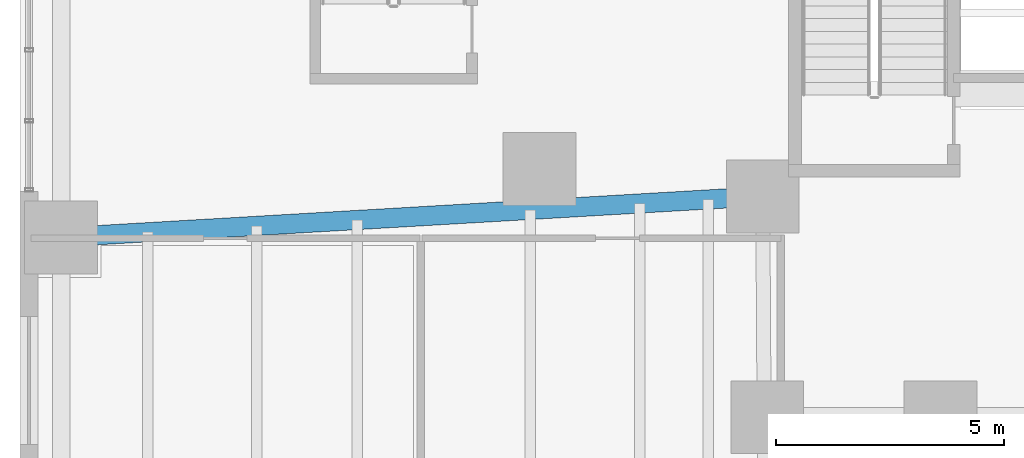
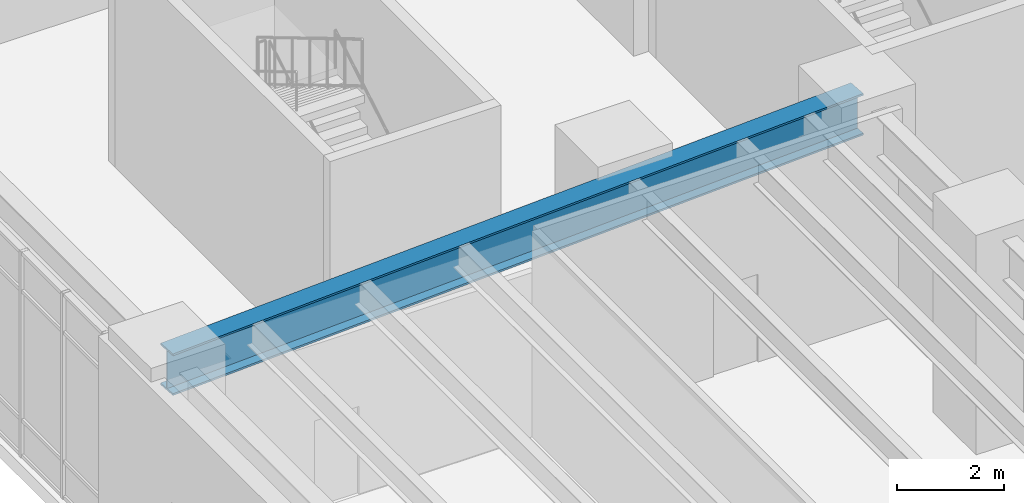
# One storey, part 5 of 18: 1 beam.
"""IFC4 building model written with IfcOpenShell, lengths in metres."""

import ifcopenshell
import ifcopenshell.guid

model = None  # the IFC model being written
_history = None  # IfcOwnerHistory: only IFC2X3 demands one
_inside = {}  # id of a spatial element -> (the spatial element, [elements in it])
_under = {}  # id of a project, library or spatial element -> (it, [spatial elements below it])
_declared = {}  # id of a project -> (the project, [libraries it declares])
_typed = {}  # id of a type object -> (the type object, [elements of that type])
_made_of = {}  # id of a material, layer set ... -> (it, [elements and type objects made of it])


def new_model(schema):
    """Start an empty IFC model of exactly this schema.

    Asked for "IFC4X3", IfcOpenShell would pick the latest addendum, in which some entities
    have other attributes; the version numbers below select the first issue.
    IFC2X3 requires an IfcOwnerHistory on every rooted entity: one is made here for all.
    """
    global model, _history
    if schema == "IFC4X3":
        model = ifcopenshell.file(schema_version=(4, 3, 0, 0))
    else:
        model = ifcopenshell.file(schema=schema)
    _inside.clear()
    _under.clear()
    _declared.clear()
    _typed.clear()
    _made_of.clear()
    _history = None
    if model.schema == "IFC2X3":
        org = make("IfcOrganization", Name="unknown")
        user = make(
            "IfcPersonAndOrganization",
            ThePerson=make("IfcPerson", FamilyName="unknown"),
            TheOrganization=org,
        )
        app = make(
            "IfcApplication",
            ApplicationDeveloper=org,
            Version="unknown",
            ApplicationFullName="unknown",
            ApplicationIdentifier="unknown",
        )
        _history = make(
            "IfcOwnerHistory",
            OwningUser=user,
            OwningApplication=app,
            ChangeAction="ADDED",
            CreationDate=0,
        )
    return model


def make(cls, **values):
    """One entity of the class cls with the attributes given. An attribute that is None is left unset."""
    return model.create_entity(
        cls, **{name: value for name, value in values.items() if value is not None}
    )


def rooted(cls, **values):
    """An entity with a GlobalId (a new one), such as an element, a storey or a relation."""
    return make(cls, GlobalId=ifcopenshell.guid.new(), OwnerHistory=_history, **values)


def si_unit(unit_type, name, prefix=None):
    """IfcSIUnit, for example si_unit("LENGTHUNIT", "METRE", prefix="MILLI")."""
    return make("IfcSIUnit", UnitType=unit_type, Prefix=prefix, Name=name)


def assignment(units):
    """IfcUnitAssignment: the units of a project."""
    return None if units is None else make("IfcUnitAssignment", Units=units)


def point(xyz):
    """IfcCartesianPoint."""
    return None if xyz is None else make("IfcCartesianPoint", Coordinates=xyz)


def direction(xyz):
    """IfcDirection."""
    return None if xyz is None else make("IfcDirection", DirectionRatios=xyz)


def frame(location, z_axis=None, x_axis=None):
    """IfcAxis2Placement3D, a coordinate frame: its origin and axes. An axis left out is left unset."""
    return make(
        "IfcAxis2Placement3D",
        Location=point(location),
        Axis=direction(z_axis),
        RefDirection=direction(x_axis),
    )


def frame_2d(location, x_axis=None):
    """IfcAxis2Placement2D, a coordinate frame in the plane: its origin and x axis."""
    return make(
        "IfcAxis2Placement2D", Location=point(location), RefDirection=direction(x_axis)
    )


def origin():
    """The frame at (0, 0, 0) with its axes left unset."""
    return frame((0.0, 0.0, 0.0))


def origin_2d():
    """The frame at (0, 0) in the plane with its x axis left unset."""
    return frame_2d((0.0, 0.0))


def place(relative_to, where):
    """IfcLocalPlacement: puts the frame where relative to a parent placement (None: the world)."""
    return make(
        "IfcLocalPlacement", PlacementRelTo=relative_to, RelativePlacement=where
    )


def context(
    kind, dimensions, precision=None, world=None, true_north=None, identifier=None
):
    """IfcGeometricRepresentationContext, for example the 3D "Model" context."""
    return make(
        "IfcGeometricRepresentationContext",
        ContextIdentifier=identifier,
        ContextType=kind,
        CoordinateSpaceDimension=dimensions,
        Precision=precision,
        WorldCoordinateSystem=world,
        TrueNorth=true_north,
    )


def subcontext(parent, identifier, kind, view, scale=None):
    """IfcGeometricRepresentationSubContext, for example "Body" below "Model"."""
    return make(
        "IfcGeometricRepresentationSubContext",
        ContextIdentifier=identifier,
        ContextType=kind,
        ParentContext=parent,
        TargetScale=scale,
        TargetView=view,
    )


def project(units=None, contexts=None):
    """IfcProject with its units and contexts."""
    return rooted(
        "IfcProject",
        Name="project",
        RepresentationContexts=contexts,
        UnitsInContext=assignment(units),
    )


def spatial(cls, under=None, at=None, **own):
    """A site, building, storey or space (cls), placed at a placement, below another one or the project."""
    s = rooted(cls, ObjectPlacement=at, **own)
    if under is not None:
        _under.setdefault(under.id(), (under, []))[1].append(s)
    return s


def profile(cls, at=None, kind="AREA", **sizes):
    """A parametric profile (cls). Its sizes go by their IFC names, for example OverallWidth=200.0."""
    return make(cls, ProfileType=kind, Position=at, **sizes)


def i_section(**sizes):
    """IfcIShapeProfileDef."""
    return profile("IfcIShapeProfileDef", **sizes)


def extrude(swept, where, along, depth):
    """IfcExtrudedAreaSolid: the profile swept, set in the frame where, extruded along a direction by depth."""
    return make(
        "IfcExtrudedAreaSolid",
        SweptArea=swept,
        Position=where,
        ExtrudedDirection=direction(along),
        Depth=depth,
    )


def shape(context_of_items, identifier, shape_type, items):
    """IfcShapeRepresentation: the items that make up one representation, for example the "Body"."""
    return make(
        "IfcShapeRepresentation",
        ContextOfItems=context_of_items,
        RepresentationIdentifier=identifier,
        RepresentationType=shape_type,
        Items=items,
    )


def material(Name=None, Category=None):
    """IfcMaterial."""
    return make("IfcMaterial", Name=Name, Category=Category)


def material_profile(
    of_material, cross_section, Name=None, Category=None, Priority=None
):
    """IfcMaterialProfile: a cross section and its material."""
    return make(
        "IfcMaterialProfile",
        Name=Name,
        Material=of_material,
        Profile=cross_section,
        Priority=Priority,
        Category=Category,
    )


def profile_set(profiles, Name=None, composite=None):
    """IfcMaterialProfileSet."""
    return make(
        "IfcMaterialProfileSet",
        Name=Name,
        MaterialProfiles=profiles,
        CompositeProfile=composite,
    )


def made_of(thing, what):
    """Note that an element or type object is made of a material, layer set ...; save() writes the relation."""
    if what is not None:
        _made_of.setdefault(what.id(), (what, []))[1].append(thing)
    return thing


def type_object(cls, material=None, **own):
    """A type object (cls), such as IfcWallType, which elements share."""
    return made_of(rooted(cls, **own), material)


def element(
    cls,
    number,
    at=None,
    inside=None,
    cuts=None,
    type_object=None,
    material=None,
    context=None,
    identifier="Body",
    shape_type=None,
    held_by="IfcProductDefinitionShape",
    body=None,
    shapes=None,
    **own,
):
    """One element of the class cls, such as IfcWall. Its Tag is "e" and its number.

    at: its placement. inside: the storey or other place that contains it. cuts: it is an
    opening in that element (IfcRelVoidsElement). A single representation is given by context,
    identifier, shape_type and body (its items); several are given by shapes. held_by: the class
    of the entity that holds the representations. save() writes the other relations.
    """
    e = rooted(cls, Tag="e%d" % number, ObjectPlacement=at, **own)
    if body is not None:
        shapes = [shape(context, identifier, shape_type, body)]
    if shapes is not None:
        e.Representation = make(held_by, Representations=shapes)
    if inside is not None:
        _inside.setdefault(inside.id(), (inside, []))[1].append(e)
    if cuts is not None:
        rooted(
            "IfcRelVoidsElement", RelatingBuildingElement=cuts, RelatedOpeningElement=e
        )
    if type_object is not None:
        _typed.setdefault(type_object.id(), (type_object, []))[1].append(e)
    return made_of(e, material)


def aggregate(whole, parts):
    """IfcRelAggregates: a whole, such as a stair, and the parts it consists of."""
    return rooted("IfcRelAggregates", RelatingObject=whole, RelatedObjects=parts)


def save(model, path):
    """Write the relations noted so far, then the file.

    IfcRelAggregates (storeys below a building ...), IfcRelContainedInSpatialStructure (elements
    in a storey), IfcRelDefinesByType, IfcRelAssociatesMaterial and IfcRelDeclares: one each for
    every whole, place, type object, material and project.
    """
    for whole, parts in _under.values():
        aggregate(whole, parts)
    for where, things in _inside.values():
        rooted(
            "IfcRelContainedInSpatialStructure",
            RelatedElements=things,
            RelatingStructure=where,
        )
    for kind, things in _typed.values():
        rooted("IfcRelDefinesByType", RelatedObjects=things, RelatingType=kind)
    for what, things in _made_of.values():
        rooted("IfcRelAssociatesMaterial", RelatedObjects=things, RelatingMaterial=what)
    for by, libraries in _declared.values():
        rooted("IfcRelDeclares", RelatingContext=by, RelatedDefinitions=libraries)
    model.write(path)


model = new_model("IFC4")

# Units and contexts
model_context = context("Model", 3, precision=1e-05, world=origin(), true_north=direction((0.0, 1.0)))
body_context = subcontext(model_context, "Body", "Model", "MODEL_VIEW")
ifc_project = project(units=[si_unit("LENGTHUNIT", "METRE"), si_unit("AREAUNIT", "SQUARE_METRE"), si_unit("VOLUMEUNIT", "CUBIC_METRE"), si_unit("PLANEANGLEUNIT", "RADIAN"), si_unit("MASSUNIT", "GRAM", prefix="KILO"), si_unit("THERMODYNAMICTEMPERATUREUNIT", "KELVIN"), si_unit("POWERUNIT", "WATT")], contexts=[model_context])

# Site, building, storey
site_placement = place(None, origin())
site = spatial("IfcSite", under=ifc_project, at=site_placement, CompositionType="ELEMENT")
building_placement = place(site_placement, origin())
building = spatial("IfcBuilding", under=site, at=building_placement, Name="Skarre Station Tower", CompositionType="ELEMENT")
storey_placement = place(building_placement, frame((0.0, 0.0, 11.0)))
storey = spatial("IfcBuildingStorey", under=building, at=storey_placement, Name="L03", CompositionType="ELEMENT", Elevation=11.0)

# Beam
ifc_material = material(Name="Steel ASTM A992 Grade 50", Category="steel")
ifc_material_profile = material_profile(ifc_material, i_section(OverallWidth=0.423095703125, OverallDepth=0.947998046875, WebThickness=0.02392578125, FlangeThickness=0.04296875, at=origin_2d()), Name="Steel ASTM A992 Grade 50")
ifc_profile_set = profile_set([ifc_material_profile], Name="Steel ASTM A992 Grade 50")
beam_type = type_object("IfcBeamType", Name="Steel Beam W36X302", PredefinedType="BEAM", material=ifc_profile_set)
beam_placement = place(storey_placement, frame((0.89990234375, 16.0, 4.216064453125), z_axis=(0.99829705511, 0.05833515029, 0.0), x_axis=(-0.05833515029, 0.99829705511, 0.0)))
element("IfcBeam", 1, at=beam_placement, inside=storey, type_object=beam_type, Name="L03 Concourse Primary Girder EW1", PredefinedType="BEAM", context=body_context, shape_type="SweptSolid", body=[
    extrude(i_section(OverallWidth=0.423095703125, OverallDepth=0.947998046875, WebThickness=0.02392578125, FlangeThickness=0.04296875, at=origin_2d()), origin(), (0.0, 0.0, 1.0), 15.426513671875),
])

save(model, "model.ifc")
